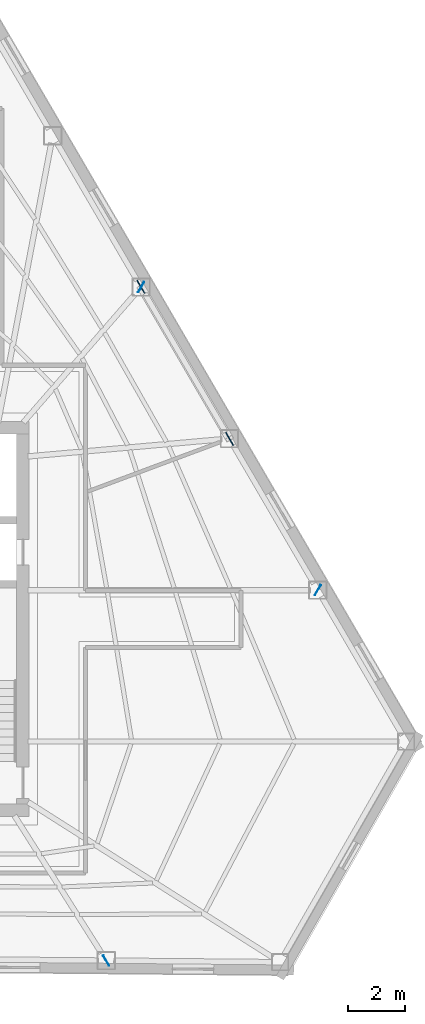
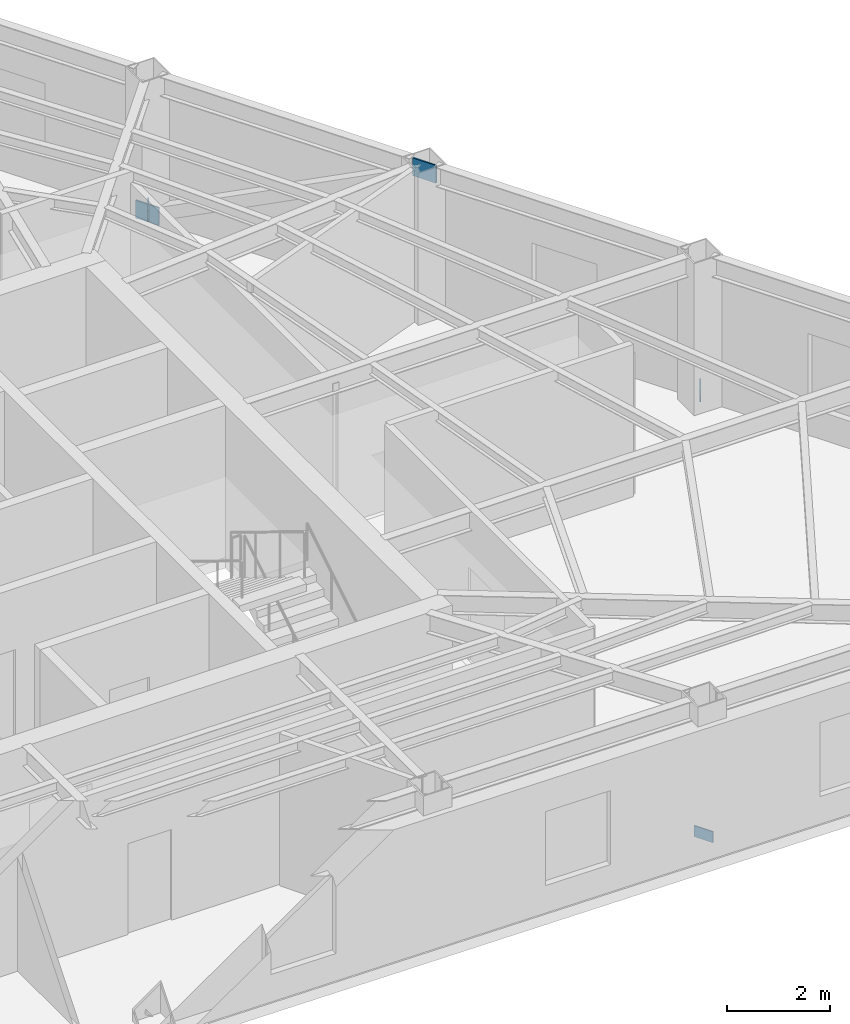
# One storey, part 5 of 10: 5 plates.
"""IFC4 building model written with IfcOpenShell, lengths in metres."""

from ifc_helpers import new_model, si_unit, direction, frame, origin, origin_2d, place, context, subcontext, project, spatial, rectangle, extrude, material, layer, layer_set, type_object, element, save


model = new_model("IFC4")

# Units and contexts
model_context = context("Model", 3, precision=1e-05, world=origin(), true_north=direction((0.0, 1.0)))
body_context = subcontext(model_context, "Body", "Model", "MODEL_VIEW")
ifc_project = project(units=[si_unit("LENGTHUNIT", "METRE"), si_unit("AREAUNIT", "SQUARE_METRE"), si_unit("VOLUMEUNIT", "CUBIC_METRE"), si_unit("PLANEANGLEUNIT", "RADIAN"), si_unit("MASSUNIT", "GRAM", prefix="KILO")], contexts=[model_context])

# Site, building, storey
site_placement = place(None, origin())
site = spatial("IfcSite", under=ifc_project, at=site_placement, CompositionType="ELEMENT")
building_placement = place(site_placement, origin())
building = spatial("IfcBuilding", under=site, at=building_placement, Name="Kavelnor Concourse Tower", CompositionType="ELEMENT")
storey_placement = place(building_placement, frame((0.0, 0.0, 180.39990234375)))
storey = spatial("IfcBuildingStorey", under=building, at=storey_placement, Name="L45", CompositionType="ELEMENT", Elevation=180.39990234375)

# Plates
ifc_material = material(Name="Steel Grade 350", Category="steel")
ifc_layer_1 = layer(ifc_material, 0.031982421875, Name="Steel Grade 350")
ifc_layer_set_1 = layer_set([ifc_layer_1], Name="Steel Grade 350")
plate_type_1 = type_object("IfcPlateType", Name="PL-GUSSET-TUBE-Z1", PredefinedType="USERDEFINED", material=ifc_layer_set_1)
for number, where, z_axis, x_axis, name in (
    (1, (51.8876953125, 27.773681640625, 0.01025390625), (0.0, 0.0, 1.0), (0.503924737109, -0.863747566902, 0.0), "L45 Tube Brace Gusset GP3 F2-B2 End Gusset A"),
    (2, (55.00439453125, 22.431396484375, 3.16015625), (0.0, 0.0, 1.0), (0.503924737109, -0.863747566902, 0.0), "L45 Tube Brace Gusset GP3 F2-B2 End Gusset B"),
):
    element("IfcPlate", number, at=place(storey_placement, frame(where, z_axis=z_axis, x_axis=x_axis)), inside=storey, type_object=plate_type_1, Name=name, ObjectType="GUSSET_PLATE", PredefinedType="USERDEFINED", context=body_context, shape_type="SweptSolid", body=[
        extrude(rectangle(XDim=0.52001953125, YDim=0.031982421875, at=origin_2d()), origin(), (0.0, 0.0, 1.0), 0.419921875),
    ])
ifc_layer_2 = layer(ifc_material, 0.02490234375, Name="Steel Grade 350")
ifc_layer_set_2 = layer_set([ifc_layer_2], Name="Steel Grade 350")
plate_type_2 = type_object("IfcPlateType", Name="PL-SPLICE-FLANGE", PredefinedType="SHEET", material=ifc_layer_set_2)
for number, where, z_axis, x_axis, name in (
    (3, (50.6689453125, 4.103271484375, 0.169921875), (0.0, 0.0, 1.0), (-0.5, 0.866025403784, 0.0), "L45 Column Flange Splice Plate F1-B5"),
    (4, (58.10302734375, 17.120361328125, 0.169921875), (0.0, 0.0, 1.0), (-0.5, -0.866025403784, 0.0), "L45 Column Flange Splice Plate F2-B1"),
    (5, (51.893798828125, 27.76318359375, 0.169921875), (0.0, 0.0, 1.0), (-0.5, -0.866025403784, 0.0), "L45 Column Flange Splice Plate F2-B3"),
):
    element("IfcPlate", number, at=place(storey_placement, frame(where, z_axis=z_axis, x_axis=x_axis)), inside=storey, type_object=plate_type_2, Name=name, PredefinedType="SHEET", context=body_context, shape_type="SweptSolid", body=[
        extrude(rectangle(XDim=0.419921875, YDim=0.02490234375, at=origin_2d()), origin(), (0.0, 0.0, 1.0), 0.260009765625),
    ])

save(model, "model.ifc")
